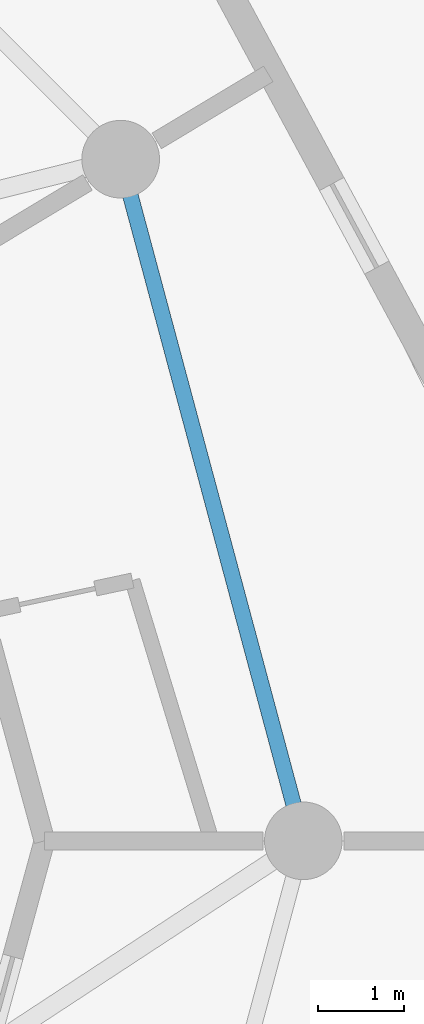
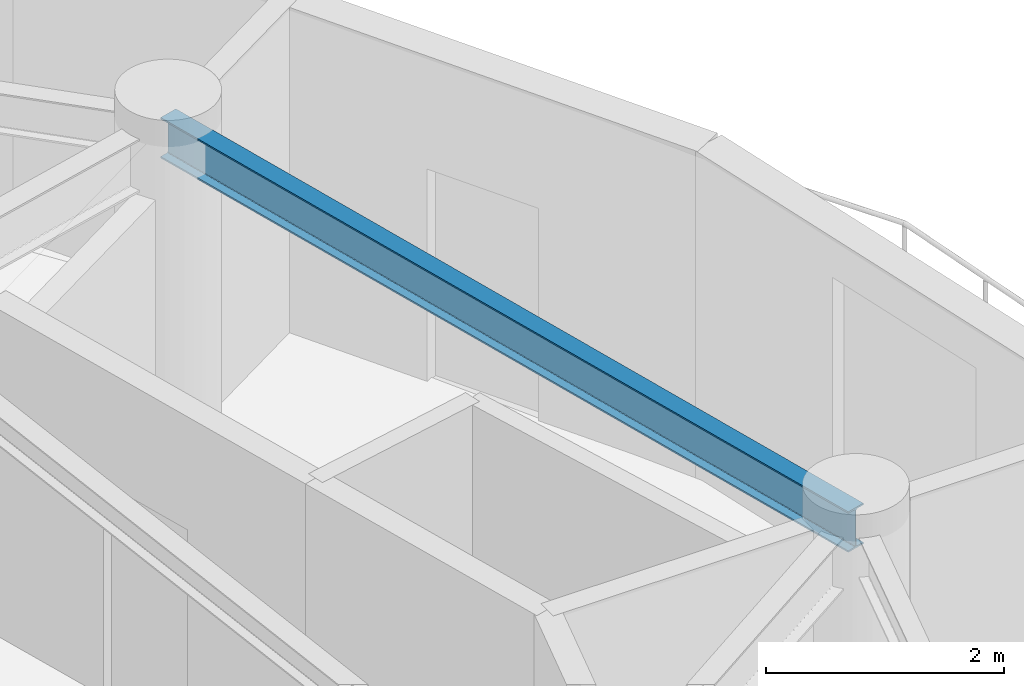
# One storey, part 13 of 23: 1 beam.
"""IFC4 building model written with IfcOpenShell, lengths in metres."""

from ifc_helpers import new_model, si_unit, direction, frame, origin, origin_2d, place, context, subcontext, project, spatial, i_section, extrude, material, material_profile, profile_set, type_object, element, save


model = new_model("IFC4")

# Units and contexts
model_context = context("Model", 3, precision=1e-05, world=origin(), true_north=direction((0.0, 1.0)))
body_context = subcontext(model_context, "Body", "Model", "MODEL_VIEW")
ifc_project = project(units=[si_unit("LENGTHUNIT", "METRE"), si_unit("AREAUNIT", "SQUARE_METRE"), si_unit("VOLUMEUNIT", "CUBIC_METRE"), si_unit("PLANEANGLEUNIT", "RADIAN"), si_unit("MASSUNIT", "GRAM", prefix="KILO")], contexts=[model_context])

# Site, building, storey
site_placement = place(None, origin())
site = spatial("IfcSite", under=ifc_project, at=site_placement, CompositionType="ELEMENT")
building_placement = place(site_placement, origin())
building = spatial("IfcBuilding", under=site, at=building_placement, Name="Solvirekh Grand Hotel", CompositionType="ELEMENT")
storey_placement = place(building_placement, frame((0.0, 0.0, 180.39990234375)))
storey = spatial("IfcBuildingStorey", under=building, at=storey_placement, Name="L46", CompositionType="ELEMENT", Elevation=180.39990234375)

# Beam
ifc_material = material(Name="Steel S355", Category="steel")
ifc_material_profile = material_profile(ifc_material, i_section(OverallWidth=0.180908203125, OverallDepth=0.4169921875, WebThickness=0.010009765625, FlangeThickness=0.01611328125, FilletRadius=0.011962890625, at=origin_2d()), Name="W410X85")
ifc_profile_set = profile_set([ifc_material_profile], Name="Steel S355")
beam_type = type_object("IfcBeamType", Name="Spandrel_Ring_W410", PredefinedType="SPANDREL", material=ifc_profile_set)
beam_placement = place(storey_placement, frame((15.800048828125, 0.0, 3.152099609375), z_axis=(-0.258838541915, 0.965920601923, 0.0), x_axis=(-0.965920601923, -0.258838541915, 0.0)))
element("IfcBeam", 1, at=beam_placement, inside=storey, type_object=beam_type, Name="L46 perimeter spandrel beam 1", PredefinedType="SPANDREL", context=body_context, shape_type="SweptSolid", body=[
    extrude(i_section(OverallWidth=0.180908203125, OverallDepth=0.4169921875, WebThickness=0.010009765625, FlangeThickness=0.01611328125, FilletRadius=0.011962890625, at=origin_2d()), origin(), (0.0, 0.0, 1.0), 8.1787109375),
])

save(model, "model.ifc")
